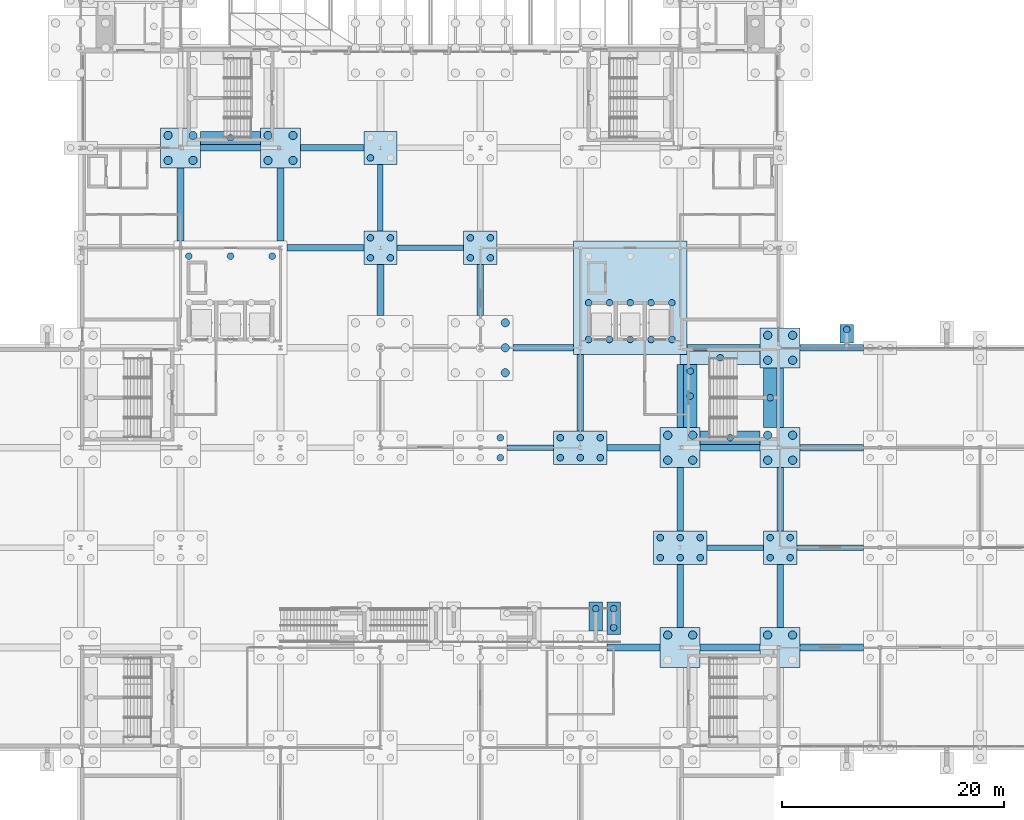
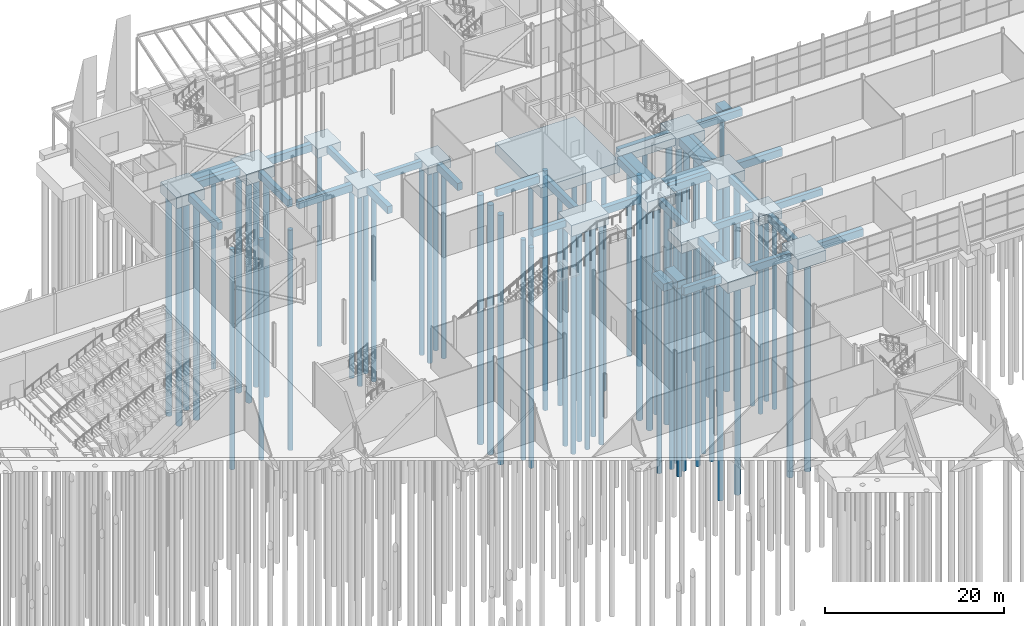
# One storey, part 7 of 139: 77 piles, 50 footings.
"""IFC4 building model written with IfcOpenShell, lengths in metres."""

from ifc_helpers import new_model, si_unit, direction, frame, origin, origin_2d, place, context, subcontext, project, spatial, polyline, rectangle, circle, outline, extrude, material, material_profile, profile_set, type_object, element, save


model = new_model("IFC4")

# Units and contexts
model_context = context("Model", 3, precision=1e-05, world=origin(), true_north=direction((0.0, 1.0)))
body_context = subcontext(model_context, "Body", "Model", "MODEL_VIEW")
ifc_project = project(units=[si_unit("LENGTHUNIT", "METRE"), si_unit("AREAUNIT", "SQUARE_METRE"), si_unit("VOLUMEUNIT", "CUBIC_METRE"), si_unit("PLANEANGLEUNIT", "RADIAN"), si_unit("MASSUNIT", "GRAM", prefix="KILO")], contexts=[model_context])

# Site, building, storey
site_placement = place(None, origin())
site = spatial("IfcSite", under=ifc_project, at=site_placement, CompositionType="ELEMENT")
building_placement = place(site_placement, origin())
building = spatial("IfcBuilding", under=site, at=building_placement, Name="Shorebreak Coast Museum", CompositionType="ELEMENT")
storey_placement = place(building_placement, origin())
storey = spatial("IfcBuildingStorey", under=building, at=storey_placement, Name="L00", CompositionType="ELEMENT", Elevation=0.0)

# Footings
ifc_material_1 = material(Name="Concrete N50 (50 MPa)", Category="concrete")
footing_type_1 = type_object("IfcFootingType", Name="Footing ground beam 500x900", PredefinedType="FOOTING_BEAM", material=ifc_material_1)
footing_1_placement = place(storey_placement, frame((112.949951171875, 72.0, -1.199951171875), z_axis=(0.0, 0.0, 1.0), x_axis=(1.0, 0.0, 0.0)))
element("IfcFooting", 1, at=footing_1_placement, inside=storey, type_object=footing_type_1, Name="Ground beam 13J to 14J", PredefinedType="FOOTING_BEAM", context=body_context, shape_type="SweptSolid", body=[
    extrude(rectangle(XDim=5.10009765625, YDim=0.5, at=origin_2d()), origin(), (0.0, 0.0, 1.0), 0.89990234375),
])
footing_2_placement = place(storey_placement, frame((121.5, 72.0, -1.199951171875), z_axis=(0.0, 0.0, 1.0), x_axis=(1.0, 0.0, 0.0)))
element("IfcFooting", 2, at=footing_2_placement, inside=storey, type_object=footing_type_1, Name="Ground beam 14J to 15J", PredefinedType="FOOTING_BEAM", context=body_context, shape_type="SweptSolid", body=[
    extrude(rectangle(XDim=6.0, YDim=0.5, at=origin_2d()), origin(), (0.0, 0.0, 1.0), 0.89990234375),
])
footing_3_placement = place(storey_placement, frame((94.5, 81.0, -1.199951171875), z_axis=(0.0, 0.0, 1.0), x_axis=(1.0, 0.0, 0.0)))
element("IfcFooting", 3, at=footing_3_placement, inside=storey, type_object=footing_type_1, Name="Ground beam 11K to 12K", PredefinedType="FOOTING_BEAM", context=body_context, shape_type="SweptSolid", body=[
    extrude(rectangle(XDim=4.199951171875, YDim=0.5, at=origin_2d()), origin(), (0.0, 0.0, 1.0), 0.89990234375),
])
footing_4_placement = place(storey_placement, frame((85.5, 99.0, -1.199951171875), z_axis=(0.0, 0.0, 1.0), x_axis=(1.0, 0.0, 0.0)))
element("IfcFooting", 4, at=footing_4_placement, inside=storey, type_object=footing_type_1, Name="Ground beam 10M to 11M", PredefinedType="FOOTING_BEAM", context=body_context, shape_type="SweptSolid", body=[
    extrude(rectangle(XDim=6.0, YDim=0.5, at=origin_2d()), origin(), (0.0, 0.0, 1.0), 0.89990234375),
])
footing_5_placement = place(storey_placement, frame((81.0, 103.5, -1.199951171875), z_axis=(0.0, 0.0, 1.0), x_axis=(1.0, 0.0, 0.0)))
element("IfcFooting", 5, at=footing_5_placement, inside=storey, type_object=footing_type_1, Name="Ground beam 10M to 10N", PredefinedType="FOOTING_BEAM", context=body_context, shape_type="SweptSolid", body=[
    extrude(rectangle(XDim=0.5, YDim=6.0, at=origin_2d()), origin(), (0.0, 0.0, 1.0), 0.89990234375),
])
ifc_material_2 = material(Name="Concrete N50 (50 MPa)", Category="concrete")
footing_type_2 = type_object("IfcFootingType", Name="Footing ground beam 600x1000", PredefinedType="FOOTING_BEAM", material=ifc_material_2)
footing_6_placement = place(storey_placement, frame((103.800048828125, 63.0, -1.300048828125), z_axis=(0.0, 0.0, 1.0), x_axis=(1.0, 0.0, 0.0)))
element("IfcFooting", 6, at=footing_6_placement, inside=storey, type_object=footing_type_2, Name="Ground beam 12H to 13H", PredefinedType="FOOTING_BEAM", context=body_context, shape_type="SweptSolid", body=[
    extrude(rectangle(XDim=4.800048828125, YDim=0.60009765625, at=origin_2d()), origin(), (0.0, 0.0, 1.0), 1.0),
])
footing_7_placement = place(storey_placement, frame((112.5, 63.0, -1.300048828125), z_axis=(0.0, 0.0, 1.0), x_axis=(1.0, 0.0, 0.0)))
element("IfcFooting", 7, at=footing_7_placement, inside=storey, type_object=footing_type_2, Name="Ground beam 13H to 14H", PredefinedType="FOOTING_BEAM", context=body_context, shape_type="SweptSolid", body=[
    extrude(rectangle(XDim=5.39990234375, YDim=0.60009765625, at=origin_2d()), origin(), (0.0, 0.0, 1.0), 1.0),
])
footing_8_placement = place(storey_placement, frame((108.0, 67.64990234375, -1.300048828125), z_axis=(0.0, 0.0, 1.0), x_axis=(1.0, 0.0, 0.0)))
element("IfcFooting", 8, at=footing_8_placement, inside=storey, type_object=footing_type_2, Name="Ground beam 13H to 13J", PredefinedType="FOOTING_BEAM", context=body_context, shape_type="SweptSolid", body=[
    extrude(rectangle(XDim=0.60009765625, YDim=5.699951171875, at=origin_2d()), origin(), (0.0, 0.0, 1.0), 1.0),
])
footing_9_placement = place(storey_placement, frame((121.64990234375, 63.0, -1.300048828125), z_axis=(0.0, 0.0, 1.0), x_axis=(1.0, 0.0, 0.0)))
element("IfcFooting", 9, at=footing_9_placement, inside=storey, type_object=footing_type_2, Name="Ground beam 14H to 15H", PredefinedType="FOOTING_BEAM", context=body_context, shape_type="SweptSolid", body=[
    extrude(rectangle(XDim=5.699951171875, YDim=0.60009765625, at=origin_2d()), origin(), (0.0, 0.0, 1.0), 1.0),
])
for number, where, z_axis, x_axis, name in (
    (10, (117.0, 67.64990234375, -1.300048828125), (0.0, 0.0, 1.0), (1.0, 0.0, 0.0), "Ground beam 14H to 14J"),
    (11, (108.0, 76.35009765625, -1.300048828125), (0.0, 0.0, 1.0), (1.0, 0.0, 0.0), "Ground beam 13J to 13K"),
    (12, (117.0, 76.35009765625, -1.300048828125), (0.0, 0.0, 1.0), (1.0, 0.0, 0.0), "Ground beam 14J to 14K"),
):
    element("IfcFooting", number, at=place(storey_placement, frame(where, z_axis=z_axis, x_axis=x_axis)), inside=storey, type_object=footing_type_2, Name=name, PredefinedType="FOOTING_BEAM", context=body_context, shape_type="SweptSolid", body=[
        extrude(rectangle(XDim=0.60009765625, YDim=5.699951171875, at=origin_2d()), origin(), (0.0, 0.0, 1.0), 1.0),
    ])
footing_10_placement = place(storey_placement, frame((103.800048828125, 81.0, -1.300048828125), z_axis=(0.0, 0.0, 1.0), x_axis=(1.0, 0.0, 0.0)))
element("IfcFooting", 13, at=footing_10_placement, inside=storey, type_object=footing_type_2, Name="Ground beam 12K to 13K", PredefinedType="FOOTING_BEAM", context=body_context, shape_type="SweptSolid", body=[
    extrude(rectangle(XDim=4.800048828125, YDim=0.60009765625, at=origin_2d()), origin(), (0.0, 0.0, 1.0), 1.0),
])
footing_11_placement = place(storey_placement, frame((99.0, 85.949951171875, -1.300048828125), z_axis=(0.0, 0.0, 1.0), x_axis=(1.0, 0.0, 0.0)))
element("IfcFooting", 14, at=footing_11_placement, inside=storey, type_object=footing_type_2, Name="Ground beam 12K to 12L", PredefinedType="FOOTING_BEAM", context=body_context, shape_type="SweptSolid", body=[
    extrude(rectangle(XDim=0.60009765625, YDim=6.89990234375, at=origin_2d()), origin(), (0.0, 0.0, 1.0), 1.0),
])
footing_12_placement = place(storey_placement, frame((112.5, 81.0, -1.300048828125), z_axis=(0.0, 0.0, 1.0), x_axis=(1.0, 0.0, 0.0)))
element("IfcFooting", 15, at=footing_12_placement, inside=storey, type_object=footing_type_2, Name="Ground beam 13K to 14K", PredefinedType="FOOTING_BEAM", context=body_context, shape_type="SweptSolid", body=[
    extrude(rectangle(XDim=5.39990234375, YDim=0.60009765625, at=origin_2d()), origin(), (0.0, 0.0, 1.0), 1.0),
])
footing_13_placement = place(storey_placement, frame((108.0, 85.64990234375, -1.300048828125), z_axis=(0.0, 0.0, 1.0), x_axis=(1.0, 0.0, 0.0)))
element("IfcFooting", 16, at=footing_13_placement, inside=storey, type_object=footing_type_2, Name="Ground beam 13K to 13L", PredefinedType="FOOTING_BEAM", context=body_context, shape_type="SweptSolid", body=[
    extrude(rectangle(XDim=0.60009765625, YDim=5.699951171875, at=origin_2d()), origin(), (0.0, 0.0, 1.0), 1.0),
])
footing_14_placement = place(storey_placement, frame((121.64990234375, 81.0, -1.300048828125), z_axis=(0.0, 0.0, 1.0), x_axis=(1.0, 0.0, 0.0)))
element("IfcFooting", 17, at=footing_14_placement, inside=storey, type_object=footing_type_2, Name="Ground beam 14K to 15K", PredefinedType="FOOTING_BEAM", context=body_context, shape_type="SweptSolid", body=[
    extrude(rectangle(XDim=5.699951171875, YDim=0.60009765625, at=origin_2d()), origin(), (0.0, 0.0, 1.0), 1.0),
])
footing_15_placement = place(storey_placement, frame((117.0, 85.5, -1.300048828125), z_axis=(0.0, 0.0, 1.0), x_axis=(1.0, 0.0, 0.0)))
element("IfcFooting", 18, at=footing_15_placement, inside=storey, type_object=footing_type_2, Name="Ground beam 14K to 14L", PredefinedType="FOOTING_BEAM", context=body_context, shape_type="SweptSolid", body=[
    extrude(rectangle(XDim=0.60009765625, YDim=5.39990234375, at=origin_2d()), origin(), (0.0, 0.0, 1.0), 1.0),
])
footing_16_placement = place(storey_placement, frame((81.0, 95.21240234375, -1.300048828125), z_axis=(0.0, 0.0, 1.0), x_axis=(1.0, 0.0, 0.0)))
element("IfcFooting", 19, at=footing_16_placement, inside=storey, type_object=footing_type_2, Name="Ground beam 10L to 10M", PredefinedType="FOOTING_BEAM", context=body_context, shape_type="SweptSolid", body=[
    extrude(rectangle(XDim=0.60009765625, YDim=4.574951171875, at=origin_2d()), origin(), (0.0, 0.0, 1.0), 1.0),
])
footing_17_placement = place(storey_placement, frame((95.66259765625, 90.0, -1.300048828125), z_axis=(0.0, 0.0, 1.0), x_axis=(1.0, 0.0, 0.0)))
element("IfcFooting", 20, at=footing_17_placement, inside=storey, type_object=footing_type_2, Name="Ground beam 11L to 12L", PredefinedType="FOOTING_BEAM", context=body_context, shape_type="SweptSolid", body=[
    extrude(rectangle(XDim=5.47509765625, YDim=0.60009765625, at=origin_2d()), origin(), (0.0, 0.0, 1.0), 1.0),
])
footing_18_placement = place(storey_placement, frame((90.0, 95.21240234375, -1.300048828125), z_axis=(0.0, 0.0, 1.0), x_axis=(1.0, 0.0, 0.0)))
element("IfcFooting", 21, at=footing_18_placement, inside=storey, type_object=footing_type_2, Name="Ground beam 11L to 11M", PredefinedType="FOOTING_BEAM", context=body_context, shape_type="SweptSolid", body=[
    extrude(rectangle(XDim=0.60009765625, YDim=4.574951171875, at=origin_2d()), origin(), (0.0, 0.0, 1.0), 1.0),
])
footing_19_placement = place(storey_placement, frame((111.89990234375, 90.0, -1.300048828125), z_axis=(0.0, 0.0, 1.0), x_axis=(1.0, 0.0, 0.0)))
element("IfcFooting", 22, at=footing_19_placement, inside=storey, type_object=footing_type_2, Name="Ground beam 13L to 14L", PredefinedType="FOOTING_BEAM", context=body_context, shape_type="SweptSolid", body=[
    extrude(rectangle(XDim=6.60009765625, YDim=0.60009765625, at=origin_2d()), origin(), (0.0, 0.0, 1.0), 1.0),
])
footing_20_placement = place(storey_placement, frame((121.64990234375, 90.0, -1.300048828125), z_axis=(0.0, 0.0, 1.0), x_axis=(1.0, 0.0, 0.0)))
element("IfcFooting", 23, at=footing_20_placement, inside=storey, type_object=footing_type_2, Name="Ground beam 14L to 15L", PredefinedType="FOOTING_BEAM", context=body_context, shape_type="SweptSolid", body=[
    extrude(rectangle(XDim=5.699951171875, YDim=0.60009765625, at=origin_2d()), origin(), (0.0, 0.0, 1.0), 1.0),
])
footing_21_placement = place(storey_placement, frame((63.0, 102.89990234375, -1.300048828125), z_axis=(0.0, 0.0, 1.0), x_axis=(1.0, 0.0, 0.0)))
element("IfcFooting", 24, at=footing_21_placement, inside=storey, type_object=footing_type_2, Name="Ground beam 8M to 8N", PredefinedType="FOOTING_BEAM", context=body_context, shape_type="SweptSolid", body=[
    extrude(rectangle(XDim=0.60009765625, YDim=6.60009765625, at=origin_2d()), origin(), (0.0, 0.0, 1.0), 1.0),
])
footing_22_placement = place(storey_placement, frame((76.050048828125, 99.0, -1.300048828125), z_axis=(0.0, 0.0, 1.0), x_axis=(1.0, 0.0, 0.0)))
element("IfcFooting", 25, at=footing_22_placement, inside=storey, type_object=footing_type_2, Name="Ground beam 9M to 10M", PredefinedType="FOOTING_BEAM", context=body_context, shape_type="SweptSolid", body=[
    extrude(rectangle(XDim=6.89990234375, YDim=0.60009765625, at=origin_2d()), origin(), (0.0, 0.0, 1.0), 1.0),
])
footing_23_placement = place(storey_placement, frame((72.0, 102.89990234375, -1.300048828125), z_axis=(0.0, 0.0, 1.0), x_axis=(1.0, 0.0, 0.0)))
element("IfcFooting", 26, at=footing_23_placement, inside=storey, type_object=footing_type_2, Name="Ground beam 9M to 9N", PredefinedType="FOOTING_BEAM", context=body_context, shape_type="SweptSolid", body=[
    extrude(rectangle(XDim=0.60009765625, YDim=6.60009765625, at=origin_2d()), origin(), (0.0, 0.0, 1.0), 1.0),
])
footing_24_placement = place(storey_placement, frame((67.5, 108.0, -1.300048828125), z_axis=(0.0, 0.0, 1.0), x_axis=(1.0, 0.0, 0.0)))
element("IfcFooting", 27, at=footing_24_placement, inside=storey, type_object=footing_type_2, Name="Ground beam 8N to 9N", PredefinedType="FOOTING_BEAM", context=body_context, shape_type="SweptSolid", body=[
    extrude(rectangle(XDim=5.39990234375, YDim=0.60009765625, at=origin_2d()), origin(), (0.0, 0.0, 1.0), 1.0),
])
footing_25_placement = place(storey_placement, frame((76.64990234375, 108.0, -1.300048828125), z_axis=(0.0, 0.0, 1.0), x_axis=(1.0, 0.0, 0.0)))
element("IfcFooting", 28, at=footing_25_placement, inside=storey, type_object=footing_type_2, Name="Ground beam 9N to 10N", PredefinedType="FOOTING_BEAM", context=body_context, shape_type="SweptSolid", body=[
    extrude(rectangle(XDim=5.699951171875, YDim=0.60009765625, at=origin_2d()), origin(), (0.0, 0.0, 1.0), 1.0),
])
ifc_material_3 = material(Name="Concrete N50 (50 MPa)", Category="concrete")
footing_type_3 = type_object("IfcFootingType", Name="Footing pile cap 3000x3000x1200", PredefinedType="PILE_CAP", material=ifc_material_3)
for number, where, z_axis, x_axis, name in (
    (29, (117.0, 72.0, -1.5), (0.0, 0.0, 1.0), (1.0, 0.0, 0.0), "Pile cap 14J"),
    (30, (81.0, 99.0, -1.5), (0.0, 0.0, 1.0), (1.0, 0.0, 0.0), "Pile cap 10M"),
    (31, (90.0, 99.0, -1.5), (0.0, 0.0, 1.0), (1.0, 0.0, 0.0), "Pile cap 11M"),
    (32, (81.0, 108.0, -1.5), (0.0, 0.0, 1.0), (1.0, 0.0, 0.0), "Pile cap 10N"),
):
    element("IfcFooting", number, at=place(storey_placement, frame(where, z_axis=z_axis, x_axis=x_axis)), inside=storey, type_object=footing_type_3, Name=name, PredefinedType="PILE_CAP", context=body_context, shape_type="SweptSolid", body=[
        extrude(rectangle(XDim=3.0, YDim=3.0, at=origin_2d()), origin(), (0.0, 0.0, 1.0), 1.199951171875),
    ])
ifc_material_4 = material(Name="Concrete N50 (50 MPa)", Category="concrete")
footing_type_4 = type_object("IfcFootingType", Name="Footing pile cap 3600x3600x1500", PredefinedType="PILE_CAP", material=ifc_material_4)
for number, where, z_axis, x_axis, name in (
    (33, (108.0, 63.0, -1.800048828125), (0.0, 0.0, 1.0), (1.0, 0.0, 0.0), "Pile cap 13H"),
    (34, (117.0, 63.0, -1.800048828125), (0.0, 0.0, 1.0), (1.0, 0.0, 0.0), "Pile cap 14H"),
    (35, (108.0, 81.0, -1.800048828125), (0.0, 0.0, 1.0), (1.0, 0.0, 0.0), "Pile cap 13K"),
    (36, (117.0, 81.0, -1.800048828125), (0.0, 0.0, 1.0), (1.0, 0.0, 0.0), "Pile cap 14K"),
    (37, (117.0, 90.0, -1.800048828125), (0.0, 0.0, 1.0), (1.0, 0.0, 0.0), "Pile cap 14L"),
    (38, (63.0, 108.0, -1.800048828125), (0.0, 0.0, 1.0), (1.0, 0.0, 0.0), "Pile cap 8N"),
    (39, (72.0, 108.0, -1.800048828125), (0.0, 0.0, 1.0), (1.0, 0.0, 0.0), "Pile cap 9N"),
):
    element("IfcFooting", number, at=place(storey_placement, frame(where, z_axis=z_axis, x_axis=x_axis)), inside=storey, type_object=footing_type_4, Name=name, PredefinedType="PILE_CAP", context=body_context, shape_type="SweptSolid", body=[
        extrude(rectangle(XDim=3.60009765625, YDim=3.60009765625, at=origin_2d()), origin(), (0.0, 0.0, 1.0), 1.5),
    ])
ifc_material_5 = material(Name="Concrete N50 (50 MPa)", Category="concrete")
footing_type_5 = type_object("IfcFootingType", Name="Footing pile cap 4800x3000x1500", PredefinedType="PILE_CAP", material=ifc_material_5)
for number, where, z_axis, x_axis, name in (
    (40, (108.0, 72.0, -1.800048828125), (0.0, 0.0, 1.0), (1.0, 0.0, 0.0), "Pile cap 13J"),
    (41, (99.0, 81.0, -1.800048828125), (0.0, 0.0, 1.0), (1.0, 0.0, 0.0), "Pile cap 12K"),
):
    element("IfcFooting", number, at=place(storey_placement, frame(where, z_axis=z_axis, x_axis=x_axis)), inside=storey, type_object=footing_type_5, Name=name, PredefinedType="PILE_CAP", context=body_context, shape_type="SweptSolid", body=[
        extrude(rectangle(XDim=4.800048828125, YDim=3.0, at=origin_2d()), origin(), (0.0, 0.0, 1.0), 1.5),
    ])
ifc_material_6 = material(Name="Concrete N50 (50 MPa)", Category="concrete")
footing_type_6 = type_object("IfcFootingType", Name="Footing raft 10200x10200x1400", PredefinedType="PILE_CAP", material=ifc_material_6)
footing_26_placement = place(storey_placement, frame((103.5, 94.5, -3.199951171875), z_axis=(0.0, 0.0, 1.0), x_axis=(1.0, 0.0, 0.0)))
element("IfcFooting", 42, at=footing_26_placement, inside=storey, type_object=footing_type_6, Name="Lift shaft raft LBE", PredefinedType="PILE_CAP", context=body_context, shape_type="SweptSolid", body=[
    extrude(rectangle(XDim=10.199951171875, YDim=10.199951171875, at=origin_2d()), origin(), (0.0, 0.0, 1.0), 1.39990234375),
])
ifc_material_7 = material(Name="Concrete N50 (50 MPa)", Category="concrete")
footing_type_7 = type_object("IfcFootingType", Name="Footing strip footing 1200x1650x1000", PredefinedType="STRIP_FOOTING", material=ifc_material_7)
footing_27_placement = place(storey_placement, frame((123.0, 91.27490234375, -1.300048828125), z_axis=(0.0, 0.0, 1.0), x_axis=(1.0, 0.0, 0.0)))
element("IfcFooting", 43, at=footing_27_placement, inside=storey, type_object=footing_type_7, Name="Fin pad EN23", PredefinedType="STRIP_FOOTING", context=body_context, shape_type="SweptSolid", body=[
    extrude(rectangle(XDim=1.199951171875, YDim=1.64990234375, at=origin_2d()), origin(), (0.0, 0.0, 1.0), 1.0),
])
ifc_material_8 = material(Name="Concrete N50 (50 MPa)", Category="concrete")
footing_type_8 = type_object("IfcFootingType", Name="Footing strip footing 1200x2600x1000", PredefinedType="STRIP_FOOTING", material=ifc_material_8)
footing_28_placement = place(storey_placement, frame((100.39990234375, 65.800048828125, -1.300048828125), z_axis=(0.0, 0.0, 1.0), x_axis=(1.0, 0.0, 0.0)))
element("IfcFooting", 44, at=footing_28_placement, inside=storey, type_object=footing_type_8, Name="Feature stair support strip footing LB1", PredefinedType="STRIP_FOOTING", context=body_context, shape_type="SweptSolid", body=[
    extrude(rectangle(XDim=1.199951171875, YDim=2.60009765625, at=origin_2d()), origin(), (0.0, 0.0, 1.0), 1.0),
])
ifc_material_9 = material(Name="Concrete N50 (50 MPa)", Category="concrete")
footing_type_9 = type_object("IfcFootingType", Name="Footing strip footing 1200x2900x1000", PredefinedType="STRIP_FOOTING", material=ifc_material_9)
footing_29_placement = place(storey_placement, frame((102.0, 65.64990234375, -1.300048828125), z_axis=(0.0, 0.0, 1.0), x_axis=(1.0, 0.0, 0.0)))
element("IfcFooting", 45, at=footing_29_placement, inside=storey, type_object=footing_type_9, Name="Feature stair support strip footing LB2", PredefinedType="STRIP_FOOTING", context=body_context, shape_type="SweptSolid", body=[
    extrude(rectangle(XDim=1.199951171875, YDim=2.89990234375, at=origin_2d()), origin(), (0.0, 0.0, 1.0), 1.0),
])
ifc_material_10 = material(Name="Concrete N50 (50 MPa)", Category="concrete")
footing_type_10 = type_object("IfcFootingType", Name="Footing strip footing 1200x5400x1000", PredefinedType="STRIP_FOOTING", material=ifc_material_10)
footing_30_placement = place(storey_placement, frame((116.10009765625, 85.5, -1.300048828125), z_axis=(0.0, 0.0, 1.0), x_axis=(1.0, 0.0, 0.0)))
element("IfcFooting", 46, at=footing_30_placement, inside=storey, type_object=footing_type_10, Name="Core wall strip footing ST04 east side", PredefinedType="STRIP_FOOTING", context=body_context, shape_type="SweptSolid", body=[
    extrude(rectangle(XDim=1.199951171875, YDim=5.39990234375, at=origin_2d()), origin(), (0.0, 0.0, 1.0), 1.0),
])
ifc_material_11 = material(Name="Concrete N50 (50 MPa)", Category="concrete")
footing_type_11 = type_object("IfcFootingType", Name="Footing strip footing 1200x5700x1000", PredefinedType="STRIP_FOOTING", material=ifc_material_11)
footing_31_placement = place(storey_placement, frame((108.89990234375, 85.64990234375, -1.300048828125), z_axis=(0.0, 0.0, 1.0), x_axis=(1.0, 0.0, 0.0)))
element("IfcFooting", 47, at=footing_31_placement, inside=storey, type_object=footing_type_11, Name="Core wall strip footing ST04 west side", PredefinedType="STRIP_FOOTING", context=body_context, shape_type="SweptSolid", body=[
    extrude(rectangle(XDim=1.199951171875, YDim=5.699951171875, at=origin_2d()), origin(), (0.0, 0.0, 1.0), 1.0),
])
ifc_material_12 = material(Name="Concrete N50 (50 MPa)", Category="concrete")
footing_type_12 = type_object("IfcFootingType", Name="Footing strip footing 5400x1200x1000", PredefinedType="STRIP_FOOTING", material=ifc_material_12)
for number, where, z_axis, x_axis, name in (
    (48, (112.5, 81.89990234375, -1.300048828125), (0.0, 0.0, 1.0), (1.0, 0.0, 0.0), "Core wall strip footing ST04 south side"),
    (49, (67.5, 108.89990234375, -1.300048828125), (0.0, 0.0, 1.0), (1.0, 0.0, 0.0), "Core wall strip footing ST09 south side"),
):
    element("IfcFooting", number, at=place(storey_placement, frame(where, z_axis=z_axis, x_axis=x_axis)), inside=storey, type_object=footing_type_12, Name=name, PredefinedType="STRIP_FOOTING", context=body_context, shape_type="SweptSolid", body=[
        extrude(rectangle(XDim=5.39990234375, YDim=1.199951171875, at=origin_2d()), origin(), (0.0, 0.0, 1.0), 1.0),
    ])
ifc_material_13 = material(Name="Concrete N50 (50 MPa)", Category="concrete")
footing_type_13 = type_object("IfcFootingType", Name="Footing strip footing 7200x1200x1000 notched", PredefinedType="STRIP_FOOTING", material=ifc_material_13)
footing_32_placement = place(storey_placement, frame((0.0, 0.0, -1.300048828125)))
element("IfcFooting", 50, at=footing_32_placement, inside=storey, type_object=footing_type_13, Name="Core wall strip footing ST04 north side", PredefinedType="STRIP_FOOTING", context=body_context, shape_type="SweptSolid", body=[
    extrude(outline(polyline([(115.199951171875, 89.699951171875), (115.199951171875, 88.5), (108.0, 88.5), (108.0, 89.39990234375), (108.60009765625, 89.39990234375), (108.60009765625, 89.699951171875), (115.199951171875, 89.699951171875)])), origin(), (0.0, 0.0, 1.0), 1.0),
])

# Piles
ifc_material_14 = material(Name="Concrete N50 (50 MPa)", Category="concrete")
ifc_material_profile_1 = material_profile(ifc_material_14, circle(Radius=0.300048828125, at=origin_2d()), Name="Pile bored 600 length 26")
ifc_profile_set_1 = profile_set([ifc_material_profile_1], Name="Concrete N50 (50 MPa)")
pile_type_1 = type_object("IfcPileType", Name="Pile bored 600 length 26", PredefinedType="BORED", material=ifc_profile_set_1)
for number, where, z_axis, x_axis, name in (
    (51, (116.10009765625, 71.10009765625, -1.5), (0.0, 0.0, -1.0), (1.0, 0.0, 0.0), "Bored pile Pile cap 14J 1"),
    (52, (117.89990234375, 71.10009765625, -1.5), (0.0, 0.0, -1.0), (1.0, 0.0, 0.0), "Bored pile Pile cap 14J 2"),
    (53, (116.10009765625, 72.89990234375, -1.5), (0.0, 0.0, -1.0), (1.0, 0.0, 0.0), "Bored pile Pile cap 14J 3"),
    (54, (117.89990234375, 72.89990234375, -1.5), (0.0, 0.0, -1.0), (1.0, 0.0, 0.0), "Bored pile Pile cap 14J 4"),
    (55, (80.10009765625, 98.10009765625, -1.5), (0.0, 0.0, -1.0), (1.0, 0.0, 0.0), "Bored pile Pile cap 10M 1"),
    (56, (81.89990234375, 98.10009765625, -1.5), (0.0, 0.0, -1.0), (1.0, 0.0, 0.0), "Bored pile Pile cap 10M 2"),
    (57, (80.10009765625, 99.89990234375, -1.5), (0.0, 0.0, -1.0), (1.0, 0.0, 0.0), "Bored pile Pile cap 10M 3"),
    (58, (81.89990234375, 99.89990234375, -1.5), (0.0, 0.0, -1.0), (1.0, 0.0, 0.0), "Bored pile Pile cap 10M 4"),
    (59, (89.10009765625, 98.10009765625, -1.5), (0.0, 0.0, -1.0), (1.0, 0.0, 0.0), "Bored pile Pile cap 11M 1"),
    (60, (90.89990234375, 98.10009765625, -1.5), (0.0, 0.0, -1.0), (1.0, 0.0, 0.0), "Bored pile Pile cap 11M 2"),
    (61, (89.10009765625, 99.89990234375, -1.5), (0.0, 0.0, -1.0), (1.0, 0.0, 0.0), "Bored pile Pile cap 11M 3"),
    (62, (90.89990234375, 99.89990234375, -1.5), (0.0, 0.0, -1.0), (1.0, 0.0, 0.0), "Bored pile Pile cap 11M 4"),
    (63, (80.10009765625, 107.10009765625, -1.5), (0.0, 0.0, -1.0), (1.0, 0.0, 0.0), "Bored pile Pile cap 10N 1"),
    (64, (112.5, 81.89990234375, -1.300048828125), (0.0, 0.0, -1.0), (1.0, 0.0, 0.0), "Bored pile Core wall strip footing ST04 south side 1"),
    (65, (111.60009765625, 89.10009765625, -1.300048828125), (0.0, 0.0, -1.0), (1.0, 0.0, 0.0), "Bored pile Core wall strip footing ST04 north side 1"),
    (66, (108.89990234375, 85.64990234375, -1.300048828125), (0.0, 0.0, -1.0), (1.0, 0.0, 0.0), "Bored pile Core wall strip footing ST04 west side 1"),
    (67, (108.89990234375, 87.89990234375, -1.300048828125), (0.0, 0.0, -1.0), (1.0, 0.0, 0.0), "Bored pile Core wall strip footing ST04 west side 2"),
    (68, (116.10009765625, 85.5, -1.300048828125), (0.0, 0.0, -1.0), (1.0, 0.0, 0.0), "Bored pile Core wall strip footing ST04 east side 1"),
    (69, (67.5, 108.89990234375, -1.300048828125), (0.0, 0.0, -1.0), (1.0, 0.0, 0.0), "Bored pile Core wall strip footing ST09 south side 1"),
    (70, (100.39990234375, 66.5, -1.300048828125), (0.0, 0.0, -1.0), (1.0, 0.0, 0.0), "Bored pile Feature stair support strip footing LB1 1"),
    (71, (102.0, 64.800048828125, -1.300048828125), (0.0, 0.0, -1.0), (1.0, 0.0, 0.0), "Bored pile Feature stair support strip footing LB2 1"),
    (72, (102.0, 66.5, -1.300048828125), (0.0, 0.0, -1.0), (1.0, 0.0, 0.0), "Bored pile Feature stair support strip footing LB2 2"),
    (73, (123.0, 91.64990234375, -1.300048828125), (0.0, 0.0, -1.0), (1.0, 0.0, 0.0), "Bored pile Fin pad EN23 1"),
):
    element("IfcPile", number, at=place(storey_placement, frame(where, z_axis=z_axis, x_axis=x_axis)), inside=storey, type_object=pile_type_1, Name=name, PredefinedType="BORED", context=body_context, shape_type="SweptSolid", body=[
        extrude(circle(Radius=0.300048828125, at=origin_2d()), origin(), (0.0, 0.0, 1.0), 26.0),
    ])
ifc_material_15 = material(Name="Concrete N50 (50 MPa)", Category="concrete")
ifc_material_profile_2 = material_profile(ifc_material_15, circle(Radius=0.300048828125, at=origin_2d()), Name="Pile bored 600 length 30")
ifc_profile_set_2 = profile_set([ifc_material_profile_2], Name="Concrete N50 (50 MPa)")
pile_type_2 = type_object("IfcPileType", Name="Pile bored 600 length 30", PredefinedType="BORED", material=ifc_profile_set_2)
for number, where, z_axis, x_axis, name in (
    (74, (99.75, 90.75, -3.199951171875), (0.0, 0.0, -1.0), (1.0, 0.0, 0.0), "Bored pile Lift shaft raft LBE 1"),
    (75, (99.75, 94.050048828125, -3.199951171875), (0.0, 0.0, -1.0), (1.0, 0.0, 0.0), "Bored pile Lift shaft raft LBE 2"),
    (76, (101.625, 90.75, -3.199951171875), (0.0, 0.0, -1.0), (1.0, 0.0, 0.0), "Bored pile Lift shaft raft LBE 3"),
    (77, (101.625, 94.050048828125, -3.199951171875), (0.0, 0.0, -1.0), (1.0, 0.0, 0.0), "Bored pile Lift shaft raft LBE 4"),
    (78, (103.5, 90.75, -3.199951171875), (0.0, 0.0, -1.0), (1.0, 0.0, 0.0), "Bored pile Lift shaft raft LBE 5"),
    (79, (103.5, 94.050048828125, -3.199951171875), (0.0, 0.0, -1.0), (1.0, 0.0, 0.0), "Bored pile Lift shaft raft LBE 6"),
    (80, (105.375, 90.75, -3.199951171875), (0.0, 0.0, -1.0), (1.0, 0.0, 0.0), "Bored pile Lift shaft raft LBE 7"),
    (81, (105.375, 94.050048828125, -3.199951171875), (0.0, 0.0, -1.0), (1.0, 0.0, 0.0), "Bored pile Lift shaft raft LBE 8"),
    (82, (107.25, 90.75, -3.199951171875), (0.0, 0.0, -1.0), (1.0, 0.0, 0.0), "Bored pile Lift shaft raft LBE 9"),
    (83, (107.25, 94.050048828125, -3.199951171875), (0.0, 0.0, -1.0), (1.0, 0.0, 0.0), "Bored pile Lift shaft raft LBE 10"),
    (84, (63.75, 98.25, -3.199951171875), (0.0, 0.0, -1.0), (1.0, 0.0, 0.0), "Bored pile Lift shaft raft LBW 11"),
    (85, (67.5, 98.25, -3.199951171875), (0.0, 0.0, -1.0), (1.0, 0.0, 0.0), "Bored pile Lift shaft raft LBW 12"),
    (86, (71.25, 98.25, -3.199951171875), (0.0, 0.0, -1.0), (1.0, 0.0, 0.0), "Bored pile Lift shaft raft LBW 13"),
    (87, (106.199951171875, 71.10009765625, -1.800048828125), (0.0, 0.0, -1.0), (1.0, 0.0, 0.0), "Bored pile Pile cap 13J 1"),
    (88, (108.0, 71.10009765625, -1.800048828125), (0.0, 0.0, -1.0), (1.0, 0.0, 0.0), "Bored pile Pile cap 13J 2"),
    (89, (109.800048828125, 71.10009765625, -1.800048828125), (0.0, 0.0, -1.0), (1.0, 0.0, 0.0), "Bored pile Pile cap 13J 3"),
    (90, (106.199951171875, 72.89990234375, -1.800048828125), (0.0, 0.0, -1.0), (1.0, 0.0, 0.0), "Bored pile Pile cap 13J 4"),
    (91, (108.0, 72.89990234375, -1.800048828125), (0.0, 0.0, -1.0), (1.0, 0.0, 0.0), "Bored pile Pile cap 13J 5"),
    (92, (109.800048828125, 72.89990234375, -1.800048828125), (0.0, 0.0, -1.0), (1.0, 0.0, 0.0), "Bored pile Pile cap 13J 6"),
    (93, (91.800048828125, 80.10009765625, -1.800048828125), (0.0, 0.0, -1.0), (1.0, 0.0, 0.0), "Bored pile Pile cap 11K 3"),
    (94, (91.800048828125, 81.89990234375, -1.800048828125), (0.0, 0.0, -1.0), (1.0, 0.0, 0.0), "Bored pile Pile cap 11K 6"),
    (95, (97.199951171875, 80.10009765625, -1.800048828125), (0.0, 0.0, -1.0), (1.0, 0.0, 0.0), "Bored pile Pile cap 12K 1"),
    (96, (99.0, 80.10009765625, -1.800048828125), (0.0, 0.0, -1.0), (1.0, 0.0, 0.0), "Bored pile Pile cap 12K 2"),
    (97, (100.800048828125, 80.10009765625, -1.800048828125), (0.0, 0.0, -1.0), (1.0, 0.0, 0.0), "Bored pile Pile cap 12K 3"),
    (98, (97.199951171875, 81.89990234375, -1.800048828125), (0.0, 0.0, -1.0), (1.0, 0.0, 0.0), "Bored pile Pile cap 12K 4"),
    (99, (99.0, 81.89990234375, -1.800048828125), (0.0, 0.0, -1.0), (1.0, 0.0, 0.0), "Bored pile Pile cap 12K 5"),
    (100, (100.800048828125, 81.89990234375, -1.800048828125), (0.0, 0.0, -1.0), (1.0, 0.0, 0.0), "Bored pile Pile cap 12K 6"),
):
    element("IfcPile", number, at=place(storey_placement, frame(where, z_axis=z_axis, x_axis=x_axis)), inside=storey, type_object=pile_type_2, Name=name, PredefinedType="BORED", context=body_context, shape_type="SweptSolid", body=[
        extrude(circle(Radius=0.300048828125, at=origin_2d()), origin(), (0.0, 0.0, 1.0), 30.0),
    ])
ifc_material_16 = material(Name="Concrete N50 (50 MPa)", Category="concrete")
ifc_material_profile_3 = material_profile(ifc_material_16, circle(Radius=0.375, at=origin_2d()), Name="Pile bored 750 length 30")
ifc_profile_set_3 = profile_set([ifc_material_profile_3], Name="Concrete N50 (50 MPa)")
pile_type_3 = type_object("IfcPileType", Name="Pile bored 750 length 30", PredefinedType="BORED", material=ifc_profile_set_3)
for number, where, z_axis, x_axis, name in (
    (101, (106.875, 64.125, -1.800048828125), (0.0, 0.0, -1.0), (1.0, 0.0, 0.0), "Bored pile Pile cap 13H 3"),
    (102, (109.125, 64.125, -1.800048828125), (0.0, 0.0, -1.0), (1.0, 0.0, 0.0), "Bored pile Pile cap 13H 4"),
    (103, (115.875, 64.125, -1.800048828125), (0.0, 0.0, -1.0), (1.0, 0.0, 0.0), "Bored pile Pile cap 14H 3"),
    (104, (118.125, 64.125, -1.800048828125), (0.0, 0.0, -1.0), (1.0, 0.0, 0.0), "Bored pile Pile cap 14H 4"),
    (105, (106.875, 79.875, -1.800048828125), (0.0, 0.0, -1.0), (1.0, 0.0, 0.0), "Bored pile Pile cap 13K 1"),
    (106, (109.125, 79.875, -1.800048828125), (0.0, 0.0, -1.0), (1.0, 0.0, 0.0), "Bored pile Pile cap 13K 2"),
    (107, (106.875, 82.125, -1.800048828125), (0.0, 0.0, -1.0), (1.0, 0.0, 0.0), "Bored pile Pile cap 13K 3"),
    (108, (109.125, 82.125, -1.800048828125), (0.0, 0.0, -1.0), (1.0, 0.0, 0.0), "Bored pile Pile cap 13K 4"),
    (109, (115.875, 79.875, -1.800048828125), (0.0, 0.0, -1.0), (1.0, 0.0, 0.0), "Bored pile Pile cap 14K 1"),
    (110, (118.125, 79.875, -1.800048828125), (0.0, 0.0, -1.0), (1.0, 0.0, 0.0), "Bored pile Pile cap 14K 2"),
    (111, (115.875, 82.125, -1.800048828125), (0.0, 0.0, -1.0), (1.0, 0.0, 0.0), "Bored pile Pile cap 14K 3"),
    (112, (118.125, 82.125, -1.800048828125), (0.0, 0.0, -1.0), (1.0, 0.0, 0.0), "Bored pile Pile cap 14K 4"),
    (113, (115.875, 88.875, -1.800048828125), (0.0, 0.0, -1.0), (1.0, 0.0, 0.0), "Bored pile Pile cap 14L 1"),
    (114, (118.125, 88.875, -1.800048828125), (0.0, 0.0, -1.0), (1.0, 0.0, 0.0), "Bored pile Pile cap 14L 2"),
    (115, (115.875, 91.125, -1.800048828125), (0.0, 0.0, -1.0), (1.0, 0.0, 0.0), "Bored pile Pile cap 14L 3"),
    (116, (118.125, 91.125, -1.800048828125), (0.0, 0.0, -1.0), (1.0, 0.0, 0.0), "Bored pile Pile cap 14L 4"),
    (117, (61.875, 106.875, -1.800048828125), (0.0, 0.0, -1.0), (1.0, 0.0, 0.0), "Bored pile Pile cap 8N 1"),
    (118, (64.125, 106.875, -1.800048828125), (0.0, 0.0, -1.0), (1.0, 0.0, 0.0), "Bored pile Pile cap 8N 2"),
    (119, (61.875, 109.125, -1.800048828125), (0.0, 0.0, -1.0), (1.0, 0.0, 0.0), "Bored pile Pile cap 8N 3"),
    (120, (64.125, 109.125, -1.800048828125), (0.0, 0.0, -1.0), (1.0, 0.0, 0.0), "Bored pile Pile cap 8N 4"),
    (121, (70.875, 106.875, -1.800048828125), (0.0, 0.0, -1.0), (1.0, 0.0, 0.0), "Bored pile Pile cap 9N 1"),
    (122, (73.125, 106.875, -1.800048828125), (0.0, 0.0, -1.0), (1.0, 0.0, 0.0), "Bored pile Pile cap 9N 2"),
    (123, (70.875, 109.125, -1.800048828125), (0.0, 0.0, -1.0), (1.0, 0.0, 0.0), "Bored pile Pile cap 9N 3"),
    (124, (73.125, 109.125, -1.800048828125), (0.0, 0.0, -1.0), (1.0, 0.0, 0.0), "Bored pile Pile cap 9N 4"),
):
    element("IfcPile", number, at=place(storey_placement, frame(where, z_axis=z_axis, x_axis=x_axis)), inside=storey, type_object=pile_type_3, Name=name, PredefinedType="BORED", context=body_context, shape_type="SweptSolid", body=[
        extrude(circle(Radius=0.375, at=origin_2d()), origin(), (0.0, 0.0, 1.0), 30.0),
    ])
ifc_material_17 = material(Name="Concrete N50 (50 MPa)", Category="concrete")
ifc_material_profile_4 = material_profile(ifc_material_17, circle(Radius=0.375, at=origin_2d()), Name="Pile bored 750 length 34")
ifc_profile_set_4 = profile_set([ifc_material_profile_4], Name="Concrete N50 (50 MPa)")
pile_type_4 = type_object("IfcPileType", Name="Pile bored 750 length 34", PredefinedType="BORED", material=ifc_profile_set_4)
for number, where, z_axis, x_axis, name in (
    (125, (92.25, 87.75, -2.10009765625), (0.0, 0.0, -1.0), (1.0, 0.0, 0.0), "Bored pile Pile cap 11L 3"),
    (126, (92.25, 90.0, -2.10009765625), (0.0, 0.0, -1.0), (1.0, 0.0, 0.0), "Bored pile Pile cap 11L 6"),
    (127, (92.25, 92.25, -2.10009765625), (0.0, 0.0, -1.0), (1.0, 0.0, 0.0), "Bored pile Pile cap 11L 9"),
):
    element("IfcPile", number, at=place(storey_placement, frame(where, z_axis=z_axis, x_axis=x_axis)), inside=storey, type_object=pile_type_4, Name=name, PredefinedType="BORED", context=body_context, shape_type="SweptSolid", body=[
        extrude(circle(Radius=0.375, at=origin_2d()), origin(), (0.0, 0.0, 1.0), 34.0),
    ])

save(model, "model.ifc")
